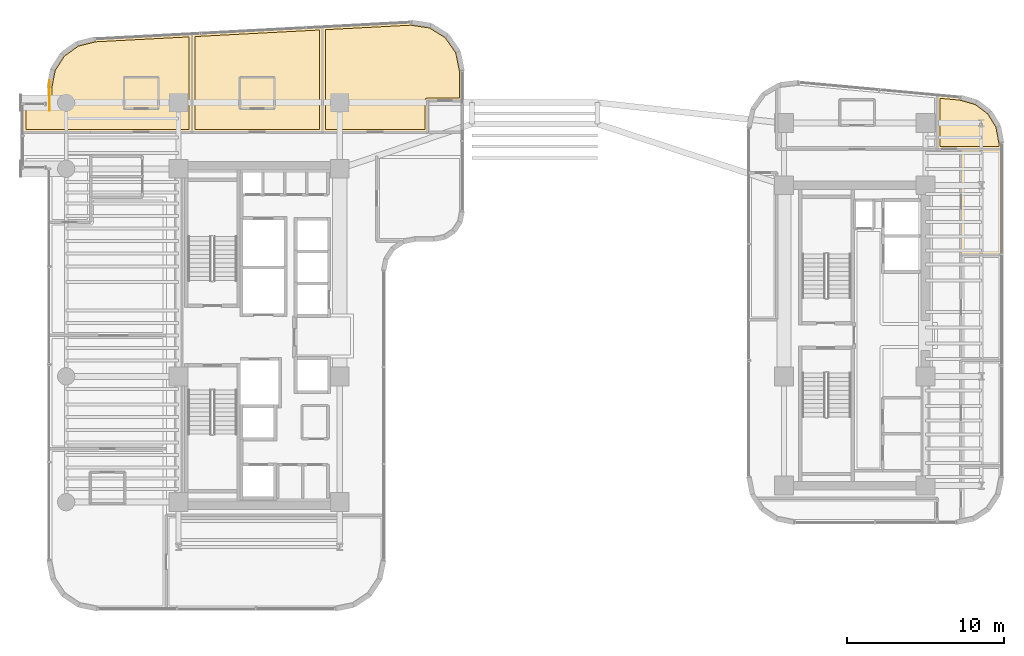
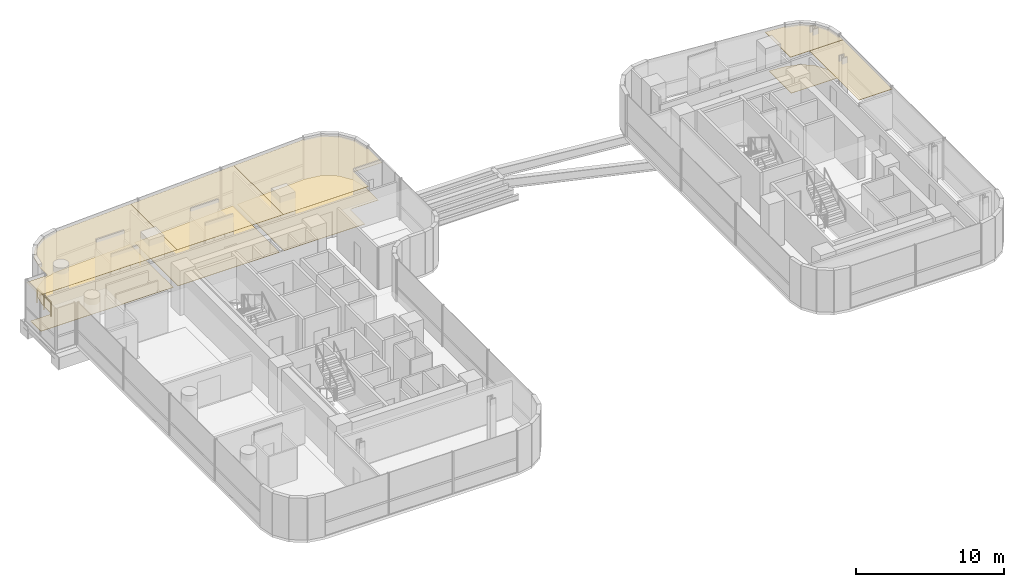
# One storey, part 36 of 36: 9 coverings, 1 railing.
"""IFC4 building model written with IfcOpenShell, lengths in metres."""

from ifc_helpers import new_model, si_unit, direction, frame, origin, origin_2d, place, context, subcontext, project, spatial, polyline, circle, outline, extrude, material, layer, layer_set, type_object, element, save


model = new_model("IFC4")

# Units and contexts
model_context = context("Model", 3, precision=1e-05, world=origin(), true_north=direction((0.0, 1.0)))
body_context = subcontext(model_context, "Body", "Model", "MODEL_VIEW")
ifc_project = project(units=[si_unit("LENGTHUNIT", "METRE"), si_unit("AREAUNIT", "SQUARE_METRE"), si_unit("VOLUMEUNIT", "CUBIC_METRE"), si_unit("PLANEANGLEUNIT", "RADIAN"), si_unit("MASSUNIT", "GRAM", prefix="KILO")], contexts=[model_context])

# Site, building, storey
site_placement = place(None, origin())
site = spatial("IfcSite", under=ifc_project, at=site_placement, CompositionType="ELEMENT")
building_placement = place(site_placement, origin())
building = spatial("IfcBuilding", under=site, at=building_placement, Name="Valdorenza Pilgrim Sanctuary Tower", CompositionType="ELEMENT")
storey_placement = place(building_placement, frame((0.0, 0.0, 153.800048828125)))
storey = spatial("IfcBuildingStorey", under=building, at=storey_placement, Name="L39", CompositionType="ELEMENT", Elevation=153.800048828125)

# Coverings
ifc_material_1 = material(Name="Micro-perforated acoustic mineral ceiling tile", Category="gypsum")
ifc_layer_1 = layer(ifc_material_1, 0.02490234375, Name="Micro-perforated acoustic mineral ceiling tile")
ifc_layer_set_1 = layer_set([ifc_layer_1], Name="Micro-perforated acoustic mineral ceiling tile")
covering_type_1 = type_object("IfcCoveringType", Name="COV-CLG-ACU", PredefinedType="CEILING", material=ifc_layer_set_1)
covering_1_placement = place(storey_placement, frame((0.0, 0.0, 3.159912109375)))
element("IfcCovering", 1, at=covering_1_placement, inside=storey, type_object=covering_type_1, Name="L39 North Guest Room L39-N1 Acoustic Ceiling", PredefinedType="CEILING", context=body_context, shape_type="SweptSolid", body=[
    extrude(outline(polyline([(-31.00048828125, 14.705078125), (-30.99072265625, 14.70556640625), (-30.9814453125, 14.706787109375), (-30.972412109375, 14.708984375), (-30.963623046875, 14.712158203125), (-30.955078125, 14.71630859375), (-30.947265625, 14.720947265625), (-30.939697265625, 14.7265625), (-30.932861328125, 14.73291015625), (-30.926513671875, 14.73974609375), (-30.9208984375, 14.747314453125), (-30.916259765625, 14.755126953125), (-30.912109375, 14.763671875), (-30.9091796875, 14.7724609375), (-30.90673828125, 14.781494140625), (-30.905517578125, 14.790771484375), (-30.905029296875, 14.80029296875), (-30.905029296875, 15.754150390625), (-30.90478515625, 15.755615234375), (-30.90478515625, 15.757080078125), (-30.68310546875, 16.911376953125), (-30.6826171875, 16.912841796875), (-30.68212890625, 16.914306640625), (-30.681640625, 16.91552734375), (-30.680908203125, 16.916748046875), (-30.052978515625, 17.897705078125), (-30.05224609375, 17.89892578125), (-30.05126953125, 17.89990234375), (-30.05029296875, 17.90087890625), (-30.04931640625, 17.90185546875), (-29.102294921875, 18.580810546875), (-29.101318359375, 18.58154296875), (-29.10009765625, 18.58203125), (-29.0986328125, 18.58251953125), (-29.097412109375, 18.5830078125), (-27.9560546875, 18.865478515625), (-27.954833984375, 18.865478515625), (-27.953369140625, 18.86572265625), (-21.8017578125, 19.19091796875), (-21.80078125, 19.19091796875), (-21.800048828125, 19.19091796875), (-21.798583984375, 19.190673828125), (-21.797119140625, 19.1904296875), (-21.795654296875, 19.190185546875), (-21.794189453125, 19.189697265625), (-21.79296875, 19.18896484375), (-21.791748046875, 19.188232421875), (-21.79052734375, 19.1875), (-21.789306640625, 19.186279296875), (-21.788330078125, 19.185302734375), (-21.78759765625, 19.18408203125), (-21.786865234375, 19.182861328125), (-21.7861328125, 19.181396484375), (-21.78564453125, 19.18017578125), (-21.785400390625, 19.1787109375), (-21.78515625, 19.17724609375), (-21.784912109375, 19.17578125), (-21.784912109375, 12.919921875), (-21.78515625, 12.91845703125), (-21.785400390625, 12.9169921875), (-21.78564453125, 12.91552734375), (-21.7861328125, 12.914306640625), (-21.786865234375, 12.912841796875), (-21.78759765625, 12.91162109375), (-21.788330078125, 12.910400390625), (-21.789306640625, 12.909423828125), (-21.79052734375, 12.908447265625), (-21.791748046875, 12.907470703125), (-21.79296875, 12.90673828125), (-21.794189453125, 12.906005859375), (-21.795654296875, 12.905517578125), (-21.797119140625, 12.9052734375), (-21.798583984375, 12.905029296875), (-21.800048828125, 12.905029296875), (-32.5400390625, 12.905029296875), (-32.54150390625, 12.905029296875), (-32.54296875, 12.9052734375), (-32.54443359375, 12.905517578125), (-32.545654296875, 12.906005859375), (-32.547119140625, 12.90673828125), (-32.54833984375, 12.907470703125), (-32.549560546875, 12.908447265625), (-32.550537109375, 12.909423828125), (-32.551513671875, 12.910400390625), (-32.552490234375, 12.91162109375), (-32.55322265625, 12.912841796875), (-32.553955078125, 12.914306640625), (-32.554443359375, 12.91552734375), (-32.5546875, 12.9169921875), (-32.554931640625, 12.91845703125), (-32.554931640625, 12.919921875), (-32.554931640625, 14.68994140625), (-32.554931640625, 14.69140625), (-32.5546875, 14.69287109375), (-32.554443359375, 14.6943359375), (-32.553955078125, 14.69580078125), (-32.55322265625, 14.697021484375), (-32.552490234375, 14.6982421875), (-32.551513671875, 14.699462890625), (-32.550537109375, 14.70068359375), (-32.549560546875, 14.70166015625), (-32.54833984375, 14.702392578125), (-32.547119140625, 14.703125), (-32.545654296875, 14.703857421875), (-32.54443359375, 14.704345703125), (-32.54296875, 14.70458984375), (-32.54150390625, 14.704833984375), (-32.5400390625, 14.705078125), (-31.00048828125, 14.705078125)])), origin(), (0.0, 0.0, 1.0), 0.025146484375),
])
covering_2_placement = place(storey_placement, frame((0.0, 0.0, 3.159912109375)))
element("IfcCovering", 2, at=covering_2_placement, inside=storey, type_object=covering_type_1, Name="L39 North Guest Room L39-N2 Acoustic Ceiling", PredefinedType="CEILING", context=body_context, shape_type="SweptSolid", body=[
    extrude(outline(polyline([(-21.81298828125, 19.17578125), (-21.81298828125, 19.1767578125), (-21.812744140625, 19.177978515625), (-21.8125, 19.1796875), (-21.81201171875, 19.180908203125), (-21.8115234375, 19.182373046875), (-21.810791015625, 19.18359375), (-21.81005859375, 19.184814453125), (-21.80908203125, 19.18603515625), (-21.80810546875, 19.18701171875), (-21.806884765625, 19.18798828125), (-21.805908203125, 19.188720703125), (-21.804443359375, 19.189453125), (-21.802978515625, 19.190185546875), (-21.8017578125, 19.1904296875), (-21.80029296875, 19.19091796875), (-21.798828125, 19.19091796875), (-13.501708984375, 19.62939453125), (-13.5009765625, 19.62939453125), (-13.5, 19.62939453125), (-13.49853515625, 19.629150390625), (-13.4970703125, 19.62890625), (-13.49560546875, 19.628662109375), (-13.494384765625, 19.628173828125), (-13.492919921875, 19.62744140625), (-13.49169921875, 19.626708984375), (-13.490478515625, 19.6259765625), (-13.489501953125, 19.625), (-13.48828125, 19.623779296875), (-13.487548828125, 19.62255859375), (-13.48681640625, 19.621337890625), (-13.486083984375, 19.6201171875), (-13.485595703125, 19.61865234375), (-13.4853515625, 19.6171875), (-13.485107421875, 19.61572265625), (-13.485107421875, 19.6142578125), (-13.485107421875, 12.919921875), (-13.485107421875, 12.91845703125), (-13.4853515625, 12.9169921875), (-13.485595703125, 12.91552734375), (-13.486083984375, 12.914306640625), (-13.48681640625, 12.912841796875), (-13.487548828125, 12.91162109375), (-13.48828125, 12.910400390625), (-13.489501953125, 12.909423828125), (-13.490478515625, 12.908447265625), (-13.49169921875, 12.907470703125), (-13.492919921875, 12.90673828125), (-13.494384765625, 12.906005859375), (-13.49560546875, 12.905517578125), (-13.4970703125, 12.9052734375), (-13.49853515625, 12.905029296875), (-13.5, 12.905029296875), (-21.798095703125, 12.905029296875), (-21.799560546875, 12.905029296875), (-21.80078125, 12.9052734375), (-21.802490234375, 12.905517578125), (-21.8037109375, 12.906005859375), (-21.80517578125, 12.90673828125), (-21.806396484375, 12.907470703125), (-21.8076171875, 12.908447265625), (-21.80859375, 12.909423828125), (-21.8095703125, 12.910400390625), (-21.810546875, 12.91162109375), (-21.811279296875, 12.912841796875), (-21.81201171875, 12.914306640625), (-21.8125, 12.91552734375), (-21.812744140625, 12.9169921875), (-21.81298828125, 12.91845703125), (-21.81298828125, 12.919921875), (-21.81298828125, 19.17578125), (-21.81298828125, 19.17578125)])), origin(), (0.0, 0.0, 1.0), 0.025146484375),
])
covering_3_placement = place(storey_placement, frame((0.0, 0.0, 3.159912109375)))
element("IfcCovering", 3, at=covering_3_placement, inside=storey, type_object=covering_type_1, Name="L39 North Guest Room L39-N3 Acoustic Ceiling", PredefinedType="CEILING", context=body_context, shape_type="SweptSolid", body=[
    extrude(outline(polyline([(-13.512939453125, 19.6142578125), (-13.512939453125, 19.615234375), (-13.5126953125, 19.61669921875), (-13.5126953125, 19.6181640625), (-13.51220703125, 19.619384765625), (-13.51171875, 19.620849609375), (-13.510986328125, 19.6220703125), (-13.510009765625, 19.623291015625), (-13.509033203125, 19.62451171875), (-13.508056640625, 19.62548828125), (-13.507080078125, 19.62646484375), (-13.505859375, 19.627197265625), (-13.50439453125, 19.6279296875), (-13.503173828125, 19.628662109375), (-13.501708984375, 19.62890625), (-13.500244140625, 19.62939453125), (-13.498779296875, 19.62939453125), (-7.875, 19.926513671875), (-7.87353515625, 19.926513671875), (-7.871826171875, 19.926513671875), (-6.6298828125, 19.738525390625), (-6.62841796875, 19.73828125), (-6.627197265625, 19.73779296875), (-6.625732421875, 19.737060546875), (-6.624267578125, 19.736328125), (-5.567138671875, 19.079345703125), (-5.56591796875, 19.07861328125), (-5.564697265625, 19.077392578125), (-5.563720703125, 19.076416015625), (-5.562744140625, 19.0751953125), (-4.850830078125, 18.05419921875), (-4.85009765625, 18.052978515625), (-4.849365234375, 18.051513671875), (-4.848876953125, 18.05029296875), (-4.848388671875, 18.048583984375), (-4.59521484375, 16.818359375), (-4.59521484375, 16.81689453125), (-4.594970703125, 16.815185546875), (-4.594970703125, 14.922119140625), (-4.59521484375, 14.92041015625), (-4.59521484375, 14.919189453125), (-4.595703125, 14.91748046875), (-4.59619140625, 14.916259765625), (-4.5966796875, 14.914794921875), (-4.597412109375, 14.913818359375), (-4.598388671875, 14.91259765625), (-4.599365234375, 14.911376953125), (-4.6005859375, 14.910400390625), (-4.601806640625, 14.909423828125), (-4.602783203125, 14.90869140625), (-4.604248046875, 14.908203125), (-4.605712890625, 14.90771484375), (-4.607177734375, 14.9072265625), (-4.6083984375, 14.906982421875), (-4.610107421875, 14.906982421875), (-6.797119140625, 14.906982421875), (-6.797119140625, 12.919921875), (-6.797119140625, 12.91845703125), (-6.79736328125, 12.9169921875), (-6.797607421875, 12.91552734375), (-6.798095703125, 12.914306640625), (-6.798828125, 12.912841796875), (-6.799560546875, 12.91162109375), (-6.80029296875, 12.910400390625), (-6.801513671875, 12.909423828125), (-6.802490234375, 12.908447265625), (-6.8037109375, 12.907470703125), (-6.804931640625, 12.90673828125), (-6.806396484375, 12.906005859375), (-6.8076171875, 12.905517578125), (-6.80908203125, 12.9052734375), (-6.810546875, 12.905029296875), (-6.81201171875, 12.905029296875), (-13.498046875, 12.905029296875), (-13.49951171875, 12.905029296875), (-13.5009765625, 12.9052734375), (-13.50244140625, 12.905517578125), (-13.503662109375, 12.906005859375), (-13.505126953125, 12.90673828125), (-13.50634765625, 12.907470703125), (-13.507568359375, 12.908447265625), (-13.508544921875, 12.909423828125), (-13.509521484375, 12.910400390625), (-13.510498046875, 12.91162109375), (-13.51123046875, 12.912841796875), (-13.511962890625, 12.914306640625), (-13.512451171875, 12.91552734375), (-13.5126953125, 12.9169921875), (-13.512939453125, 12.91845703125), (-13.512939453125, 12.919921875), (-13.512939453125, 19.6142578125), (-13.512939453125, 19.6142578125)])), origin(), (0.0, 0.0, 1.0), 0.025146484375),
])
covering_4_placement = place(storey_placement, frame((0.0, 0.0, 3.159912109375)))
element("IfcCovering", 4, at=covering_4_placement, inside=storey, type_object=covering_type_1, Name="L39 East Wing Reference Library L39-BNE Acoustic Ceiling", PredefinedType="CEILING", context=body_context, shape_type="SweptSolid", body=[
    extrude(outline(polyline([(27.055908203125, 15.156982421875), (27.057373046875, 15.156982421875), (27.058837890625, 15.156494140625), (28.090087890625, 14.86376953125), (28.091552734375, 14.86328125), (28.0927734375, 14.86279296875), (28.093994140625, 14.862060546875), (28.09521484375, 14.861328125), (28.94287109375, 14.2216796875), (28.94384765625, 14.220947265625), (28.94482421875, 14.219970703125), (28.94580078125, 14.21875), (28.946533203125, 14.2177734375), (29.505615234375, 13.315185546875), (29.50634765625, 13.313720703125), (29.5068359375, 13.3125), (29.50732421875, 13.311279296875), (29.507568359375, 13.309814453125), (29.70458984375, 12.256103515625), (29.704833984375, 12.254638671875), (29.705078125, 12.253173828125), (29.705078125, 11.85009765625), (29.704833984375, 11.848388671875), (29.70458984375, 11.84716796875), (29.704345703125, 11.845703125), (29.703857421875, 11.84423828125), (29.703125, 11.843017578125), (29.702392578125, 11.841796875), (29.70166015625, 11.840576171875), (29.70068359375, 11.83935546875), (29.699462890625, 11.83837890625), (29.6982421875, 11.83740234375), (29.697021484375, 11.8369140625), (29.69580078125, 11.836181640625), (29.6943359375, 11.835693359375), (29.69287109375, 11.835205078125), (29.69140625, 11.835205078125), (29.68994140625, 11.8349609375), (25.60205078125, 11.8349609375), (25.6005859375, 11.835205078125), (25.59912109375, 11.835205078125), (25.59765625, 11.835693359375), (25.59619140625, 11.836181640625), (25.594970703125, 11.8369140625), (25.59375, 11.83740234375), (25.592529296875, 11.83837890625), (25.59130859375, 11.83935546875), (25.59033203125, 11.840576171875), (25.589599609375, 11.841796875), (25.5888671875, 11.843017578125), (25.588134765625, 11.84423828125), (25.587646484375, 11.845703125), (25.58740234375, 11.84716796875), (25.587158203125, 11.848388671875), (25.5869140625, 11.85009765625), (25.5869140625, 15.27587890625), (25.587158203125, 15.27734375), (25.58740234375, 15.27880859375), (25.587646484375, 15.2802734375), (25.588134765625, 15.281494140625), (25.5888671875, 15.282958984375), (25.589599609375, 15.2841796875), (25.59033203125, 15.285400390625), (25.59130859375, 15.286376953125), (25.59228515625, 15.287353515625), (25.593505859375, 15.288330078125), (25.594970703125, 15.2890625), (25.59619140625, 15.289794921875), (25.59765625, 15.290283203125), (25.59912109375, 15.29052734375), (25.600341796875, 15.290771484375), (25.601806640625, 15.291015625), (25.603515625, 15.290771484375), (27.055908203125, 15.156982421875)])), origin(), (0.0, 0.0, 1.0), 0.025146484375),
])
covering_5_placement = place(storey_placement, frame((0.0, 0.0, 3.159912109375)))
element("IfcCovering", 5, at=covering_5_placement, inside=storey, type_object=covering_type_1, Name="L39 East Sanctuary Scholar Office L39-EG4 Acoustic Ceiling", PredefinedType="CEILING", context=body_context, shape_type="SweptSolid", body=[
    extrude(outline(polyline([(27.0849609375, 11.847900390625), (27.085205078125, 11.849609375), (27.085205078125, 11.850830078125), (27.085693359375, 11.852294921875), (27.086181640625, 11.853759765625), (27.0869140625, 11.85498046875), (27.08740234375, 11.856201171875), (27.08837890625, 11.857421875), (27.08935546875, 11.858642578125), (27.090576171875, 11.859619140625), (27.091796875, 11.860595703125), (27.093017578125, 11.861083984375), (27.09423828125, 11.86181640625), (27.095703125, 11.8623046875), (27.09716796875, 11.86279296875), (27.098388671875, 11.86279296875), (27.10009765625, 11.863037109375), (29.68994140625, 11.863037109375), (29.69140625, 11.86279296875), (29.69287109375, 11.86279296875), (29.6943359375, 11.8623046875), (29.69580078125, 11.86181640625), (29.697021484375, 11.861083984375), (29.6982421875, 11.860595703125), (29.699462890625, 11.859619140625), (29.70068359375, 11.858642578125), (29.70166015625, 11.857421875), (29.702392578125, 11.856201171875), (29.703125, 11.85498046875), (29.703857421875, 11.853759765625), (29.704345703125, 11.852294921875), (29.70458984375, 11.850830078125), (29.704833984375, 11.849609375), (29.705078125, 11.847900390625), (29.705078125, 5.139892578125), (29.704833984375, 5.138427734375), (29.70458984375, 5.13720703125), (29.704345703125, 5.135498046875), (29.703857421875, 5.13427734375), (29.703125, 5.1328125), (29.702392578125, 5.131591796875), (29.70166015625, 5.130615234375), (29.70068359375, 5.12939453125), (29.699462890625, 5.12841796875), (29.6982421875, 5.12744140625), (29.697021484375, 5.126708984375), (29.69580078125, 5.126220703125), (29.6943359375, 5.12548828125), (29.69287109375, 5.125244140625), (29.69140625, 5.125), (29.68994140625, 5.125), (27.10009765625, 5.125), (27.098388671875, 5.125), (27.09716796875, 5.125244140625), (27.095703125, 5.12548828125), (27.09423828125, 5.126220703125), (27.093017578125, 5.126708984375), (27.091796875, 5.12744140625), (27.090576171875, 5.12841796875), (27.08935546875, 5.12939453125), (27.08837890625, 5.130615234375), (27.08740234375, 5.131591796875), (27.0869140625, 5.1328125), (27.086181640625, 5.13427734375), (27.085693359375, 5.135498046875), (27.085205078125, 5.13720703125), (27.085205078125, 5.138427734375), (27.0849609375, 5.139892578125), (27.0849609375, 11.847900390625)])), origin(), (0.0, 0.0, 1.0), 0.025146484375),
])
ifc_material_2 = material(Name="Engineered European oak timber flooring", Category="wood")
ifc_layer_2 = layer(ifc_material_2, 0.02197265625, Name="Engineered European oak timber flooring")
ifc_layer_set_2 = layer_set([ifc_layer_2], Name="Engineered European oak timber flooring")
covering_type_2 = type_object("IfcCoveringType", Name="COV-FLR-OAK", PredefinedType="FLOORING", material=ifc_layer_set_2)
covering_6_placement = place(storey_placement, origin())
element("IfcCovering", 6, at=covering_6_placement, inside=storey, type_object=covering_type_2, Name="L39 North Guest Room L39-N1 Flooring", PredefinedType="FLOORING", context=body_context, shape_type="SweptSolid", body=[
    extrude(outline(polyline([(-31.0, 14.510009765625), (-30.9912109375, 14.51025390625), (-30.98046875, 14.5107421875), (-30.962890625, 14.512451171875), (-30.9521484375, 14.51416015625), (-30.934814453125, 14.517578125), (-30.92431640625, 14.52001953125), (-30.907470703125, 14.525390625), (-30.897216796875, 14.52880859375), (-30.880859375, 14.53564453125), (-30.87109375, 14.540283203125), (-30.855712890625, 14.548583984375), (-30.84619140625, 14.55419921875), (-30.831787109375, 14.56396484375), (-30.822998046875, 14.5703125), (-30.809326171875, 14.58154296875), (-30.80126953125, 14.5888671875), (-30.788818359375, 14.601318359375), (-30.781494140625, 14.609375), (-30.7705078125, 14.623046875), (-30.763916015625, 14.631591796875), (-30.754150390625, 14.646240234375), (-30.74853515625, 14.655517578125), (-30.740234375, 14.671142578125), (-30.735595703125, 14.680908203125), (-30.72900390625, 14.697265625), (-30.725341796875, 14.70751953125), (-30.72021484375, 14.724365234375), (-30.717529296875, 14.73486328125), (-30.714111328125, 14.752197265625), (-30.71240234375, 14.7626953125), (-30.710693359375, 14.780517578125), (-30.710205078125, 14.791259765625), (-30.7099609375, 14.800048828125), (-30.7099609375, 15.737060546875), (-30.498046875, 16.8408203125), (-29.907470703125, 17.763671875), (-29.016845703125, 18.402099609375), (-27.92578125, 18.672119140625), (-21.98095703125, 18.986083984375), (-21.97998046875, 13.10009765625), (-32.360107421875, 13.10009765625), (-32.360107421875, 14.510009765625), (-31.0, 14.510009765625)])), origin(), (0.0, 0.0, 1.0), 0.02490234375),
])
covering_7_placement = place(storey_placement, origin())
element("IfcCovering", 7, at=covering_7_placement, inside=storey, type_object=covering_type_2, Name="L39 North Guest Room L39-N2 Flooring", PredefinedType="FLOORING", context=body_context, shape_type="SweptSolid", body=[
    extrude(outline(polyline([(-13.679931640625, 19.424560546875), (-13.679931640625, 13.10009765625), (-21.617919921875, 13.10009765625), (-21.617919921875, 19.005126953125), (-13.679931640625, 19.424560546875)])), origin(), (0.0, 0.0, 1.0), 0.02490234375),
])
covering_8_placement = place(storey_placement, origin())
element("IfcCovering", 8, at=covering_8_placement, inside=storey, type_object=covering_type_2, Name="L39 North Guest Room L39-N3 Flooring", PredefinedType="FLOORING", context=body_context, shape_type="SweptSolid", body=[
    extrude(outline(polyline([(-7.883056640625, 19.730712890625), (-6.69580078125, 19.55126953125), (-5.70166015625, 18.933349609375), (-5.031982421875, 17.97314453125), (-4.7900390625, 16.797119140625), (-4.7900390625, 15.10205078125), (-6.81005859375, 15.10205078125), (-6.81884765625, 15.101806640625), (-6.819091796875, 15.101806640625), (-6.836669921875, 15.10009765625), (-6.8369140625, 15.10009765625), (-6.85400390625, 15.0966796875), (-6.854248046875, 15.096435546875), (-6.87109375, 15.09130859375), (-6.871337890625, 15.09130859375), (-6.8876953125, 15.084716796875), (-6.887939453125, 15.08447265625), (-6.903564453125, 15.076171875), (-6.903564453125, 15.076171875), (-6.918212890625, 15.066162109375), (-6.91845703125, 15.066162109375), (-6.93212890625, 15.054931640625), (-6.932373046875, 15.0546875), (-6.94482421875, 15.042236328125), (-6.94482421875, 15.0419921875), (-6.9560546875, 15.028564453125), (-6.956298828125, 15.0283203125), (-6.966064453125, 15.013671875), (-6.96630859375, 15.013427734375), (-6.974609375, 14.997802734375), (-6.974609375, 14.997802734375), (-6.981201171875, 14.9814453125), (-6.9814453125, 14.981201171875), (-6.986572265625, 14.96435546875), (-6.986572265625, 14.964111328125), (-6.989990234375, 14.94677734375), (-6.989990234375, 14.946533203125), (-6.99169921875, 14.928955078125), (-6.99169921875, 14.9287109375), (-6.991943359375, 14.919921875), (-6.991943359375, 13.10009765625), (-13.318115234375, 13.10009765625), (-13.318115234375, 19.443603515625), (-7.883056640625, 19.730712890625)])), origin(), (0.0, 0.0, 1.0), 0.02490234375),
])
ifc_material_3 = material(Name="Honed travertine stone flooring", Category="masonry")
ifc_layer_3 = layer(ifc_material_3, 0.030029296875, Name="Honed travertine stone flooring")
ifc_layer_set_3 = layer_set([ifc_layer_3], Name="Honed travertine stone flooring")
covering_type_3 = type_object("IfcCoveringType", Name="COV-FLR-TRV", PredefinedType="FLOORING", material=ifc_layer_set_3)
covering_9_placement = place(storey_placement, origin())
element("IfcCovering", 9, at=covering_9_placement, inside=storey, type_object=covering_type_3, Name="L39 East Wing Reference Library L39-BNE Flooring", PredefinedType="FLOORING", context=body_context, shape_type="SweptSolid", body=[
    extrude(outline(polyline([(27.021484375, 14.964599609375), (28.00439453125, 14.685302734375), (28.79833984375, 14.08642578125), (29.322021484375, 13.240966796875), (29.510009765625, 12.236572265625), (29.510009765625, 12.030029296875), (25.781982421875, 12.030029296875), (25.781982421875, 15.07861328125), (27.021484375, 14.964599609375)])), origin(), (0.0, 0.0, 1.0), 0.02490234375),
])

# Railing
ifc_material_4 = material(Name="Stainless steel Grade 316", Category="steel")
railing_type = type_object("IfcRailingType", Name="RLG-GRD-1120", PredefinedType="GUARDRAIL", material=ifc_material_4)
railing_placement = place(storey_placement, frame((-30.860107421875, 14.300048828125, 0.0)))
element("IfcRailing", 10, at=railing_placement, inside=storey, type_object=railing_type, Name="L39 NW Tangent Safety Sill Guard", PredefinedType="GUARDRAIL", context=body_context, shape_type="SweptSolid", body=[
    extrude(circle(Radius=0.02392578125, at=origin_2d()), frame((0.0, 0.0, 1.17578125), z_axis=(0.0, 1.0, 0.0), x_axis=(-1.0, 0.0, 0.0)), (0.0, 0.0, 1.0), 1.89990234375),
    extrude(circle(Radius=0.02099609375, at=origin_2d()), origin(), (0.0, 0.0, 1.0), 1.15185546875),
    extrude(circle(Radius=0.02099609375, at=origin_2d()), frame((0.0, 0.949951171875, 0.0)), (0.0, 0.0, 1.0), 1.15185546875),
    extrude(circle(Radius=0.02099609375, at=origin_2d()), frame((0.0, 1.89990234375, 0.0)), (0.0, 0.0, 1.0), 1.15185546875),
])

save(model, "model.ifc")
